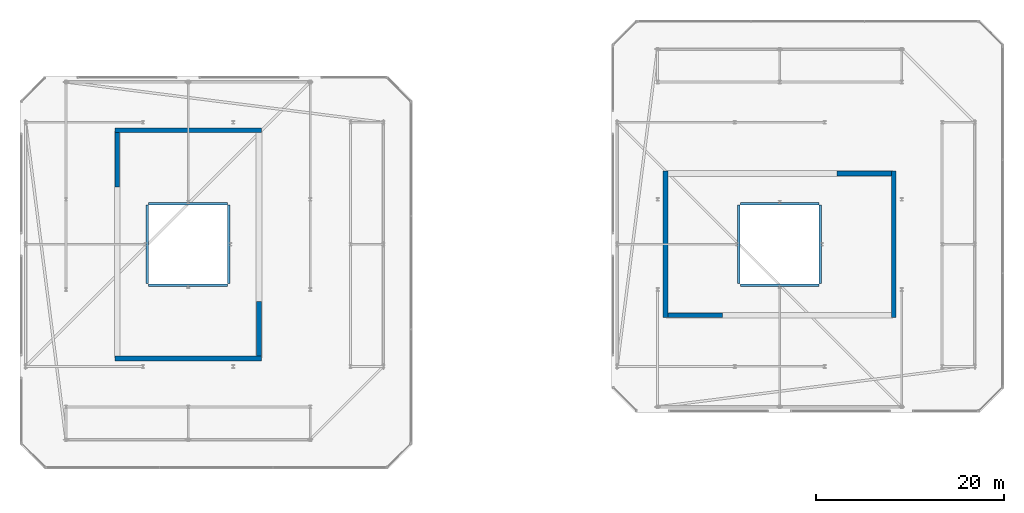
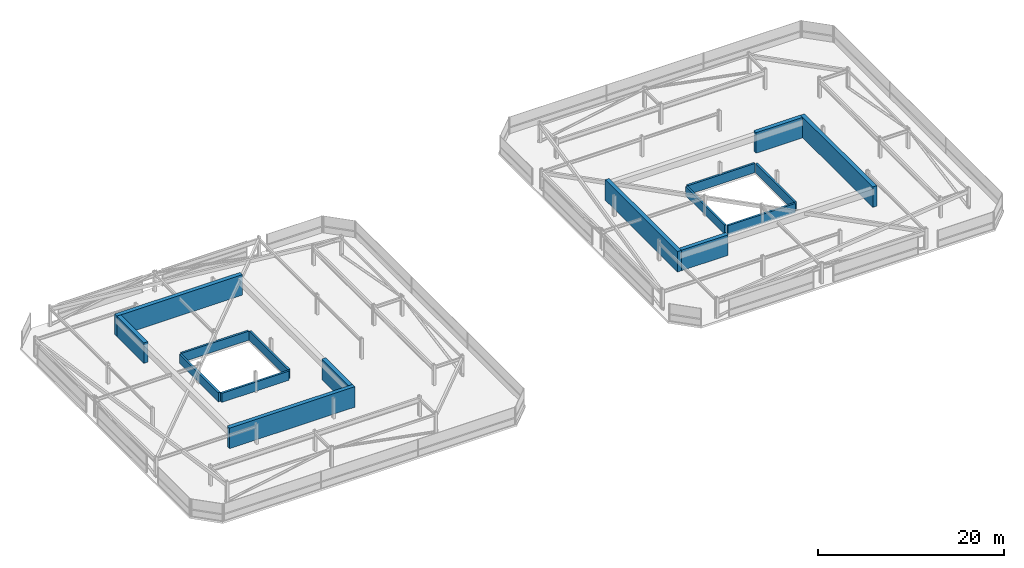
# One storey, part 42 of 42: 16 walls.
"""IFC4 building model written with IfcOpenShell, lengths in metres."""

import ifcopenshell
import ifcopenshell.guid

model = None  # the IFC model being written
_history = None  # IfcOwnerHistory: only IFC2X3 demands one
_inside = {}  # id of a spatial element -> (the spatial element, [elements in it])
_under = {}  # id of a project, library or spatial element -> (it, [spatial elements below it])
_declared = {}  # id of a project -> (the project, [libraries it declares])
_typed = {}  # id of a type object -> (the type object, [elements of that type])
_made_of = {}  # id of a material, layer set ... -> (it, [elements and type objects made of it])


def new_model(schema):
    """Start an empty IFC model of exactly this schema.

    Asked for "IFC4X3", IfcOpenShell would pick the latest addendum, in which some entities
    have other attributes; the version numbers below select the first issue.
    IFC2X3 requires an IfcOwnerHistory on every rooted entity: one is made here for all.
    """
    global model, _history
    if schema == "IFC4X3":
        model = ifcopenshell.file(schema_version=(4, 3, 0, 0))
    else:
        model = ifcopenshell.file(schema=schema)
    _inside.clear()
    _under.clear()
    _declared.clear()
    _typed.clear()
    _made_of.clear()
    _history = None
    if model.schema == "IFC2X3":
        org = make("IfcOrganization", Name="unknown")
        user = make(
            "IfcPersonAndOrganization",
            ThePerson=make("IfcPerson", FamilyName="unknown"),
            TheOrganization=org,
        )
        app = make(
            "IfcApplication",
            ApplicationDeveloper=org,
            Version="unknown",
            ApplicationFullName="unknown",
            ApplicationIdentifier="unknown",
        )
        _history = make(
            "IfcOwnerHistory",
            OwningUser=user,
            OwningApplication=app,
            ChangeAction="ADDED",
            CreationDate=0,
        )
    return model


def make(cls, **values):
    """One entity of the class cls with the attributes given. An attribute that is None is left unset."""
    return model.create_entity(
        cls, **{name: value for name, value in values.items() if value is not None}
    )


def rooted(cls, **values):
    """An entity with a GlobalId (a new one), such as an element, a storey or a relation."""
    return make(cls, GlobalId=ifcopenshell.guid.new(), OwnerHistory=_history, **values)


def si_unit(unit_type, name, prefix=None):
    """IfcSIUnit, for example si_unit("LENGTHUNIT", "METRE", prefix="MILLI")."""
    return make("IfcSIUnit", UnitType=unit_type, Prefix=prefix, Name=name)


def assignment(units):
    """IfcUnitAssignment: the units of a project."""
    return None if units is None else make("IfcUnitAssignment", Units=units)


def point(xyz):
    """IfcCartesianPoint."""
    return None if xyz is None else make("IfcCartesianPoint", Coordinates=xyz)


def direction(xyz):
    """IfcDirection."""
    return None if xyz is None else make("IfcDirection", DirectionRatios=xyz)


def frame(location, z_axis=None, x_axis=None):
    """IfcAxis2Placement3D, a coordinate frame: its origin and axes. An axis left out is left unset."""
    return make(
        "IfcAxis2Placement3D",
        Location=point(location),
        Axis=direction(z_axis),
        RefDirection=direction(x_axis),
    )


def frame_2d(location, x_axis=None):
    """IfcAxis2Placement2D, a coordinate frame in the plane: its origin and x axis."""
    return make(
        "IfcAxis2Placement2D", Location=point(location), RefDirection=direction(x_axis)
    )


def origin():
    """The frame at (0, 0, 0) with its axes left unset."""
    return frame((0.0, 0.0, 0.0))


def place(relative_to, where):
    """IfcLocalPlacement: puts the frame where relative to a parent placement (None: the world)."""
    return make(
        "IfcLocalPlacement", PlacementRelTo=relative_to, RelativePlacement=where
    )


def context(
    kind, dimensions, precision=None, world=None, true_north=None, identifier=None
):
    """IfcGeometricRepresentationContext, for example the 3D "Model" context."""
    return make(
        "IfcGeometricRepresentationContext",
        ContextIdentifier=identifier,
        ContextType=kind,
        CoordinateSpaceDimension=dimensions,
        Precision=precision,
        WorldCoordinateSystem=world,
        TrueNorth=true_north,
    )


def subcontext(parent, identifier, kind, view, scale=None):
    """IfcGeometricRepresentationSubContext, for example "Body" below "Model"."""
    return make(
        "IfcGeometricRepresentationSubContext",
        ContextIdentifier=identifier,
        ContextType=kind,
        ParentContext=parent,
        TargetScale=scale,
        TargetView=view,
    )


def project(units=None, contexts=None):
    """IfcProject with its units and contexts."""
    return rooted(
        "IfcProject",
        Name="project",
        RepresentationContexts=contexts,
        UnitsInContext=assignment(units),
    )


def spatial(cls, under=None, at=None, **own):
    """A site, building, storey or space (cls), placed at a placement, below another one or the project."""
    s = rooted(cls, ObjectPlacement=at, **own)
    if under is not None:
        _under.setdefault(under.id(), (under, []))[1].append(s)
    return s


def profile(cls, at=None, kind="AREA", **sizes):
    """A parametric profile (cls). Its sizes go by their IFC names, for example OverallWidth=200.0."""
    return make(cls, ProfileType=kind, Position=at, **sizes)


def rectangle(**sizes):
    """IfcRectangleProfileDef."""
    return profile("IfcRectangleProfileDef", **sizes)


def extrude(swept, where, along, depth):
    """IfcExtrudedAreaSolid: the profile swept, set in the frame where, extruded along a direction by depth."""
    return make(
        "IfcExtrudedAreaSolid",
        SweptArea=swept,
        Position=where,
        ExtrudedDirection=direction(along),
        Depth=depth,
    )


def shape(context_of_items, identifier, shape_type, items):
    """IfcShapeRepresentation: the items that make up one representation, for example the "Body"."""
    return make(
        "IfcShapeRepresentation",
        ContextOfItems=context_of_items,
        RepresentationIdentifier=identifier,
        RepresentationType=shape_type,
        Items=items,
    )


def material(Name=None, Category=None):
    """IfcMaterial."""
    return make("IfcMaterial", Name=Name, Category=Category)


def layer(
    of_material, thickness, ventilated=None, Name=None, Category=None, Priority=None
):
    """IfcMaterialLayer: one layer of a wall or slab, of a material (None: an air gap)."""
    return make(
        "IfcMaterialLayer",
        Material=of_material,
        LayerThickness=thickness,
        IsVentilated=ventilated,
        Name=Name,
        Category=Category,
        Priority=Priority,
    )


def layer_set(layers, Name=None):
    """IfcMaterialLayerSet."""
    return make("IfcMaterialLayerSet", MaterialLayers=layers, LayerSetName=Name)


def made_of(thing, what):
    """Note that an element or type object is made of a material, layer set ...; save() writes the relation."""
    if what is not None:
        _made_of.setdefault(what.id(), (what, []))[1].append(thing)
    return thing


def type_object(cls, material=None, **own):
    """A type object (cls), such as IfcWallType, which elements share."""
    return made_of(rooted(cls, **own), material)


def element(
    cls,
    number,
    at=None,
    inside=None,
    cuts=None,
    type_object=None,
    material=None,
    context=None,
    identifier="Body",
    shape_type=None,
    held_by="IfcProductDefinitionShape",
    body=None,
    shapes=None,
    **own,
):
    """One element of the class cls, such as IfcWall. Its Tag is "e" and its number.

    at: its placement. inside: the storey or other place that contains it. cuts: it is an
    opening in that element (IfcRelVoidsElement). A single representation is given by context,
    identifier, shape_type and body (its items); several are given by shapes. held_by: the class
    of the entity that holds the representations. save() writes the other relations.
    """
    e = rooted(cls, Tag="e%d" % number, ObjectPlacement=at, **own)
    if body is not None:
        shapes = [shape(context, identifier, shape_type, body)]
    if shapes is not None:
        e.Representation = make(held_by, Representations=shapes)
    if inside is not None:
        _inside.setdefault(inside.id(), (inside, []))[1].append(e)
    if cuts is not None:
        rooted(
            "IfcRelVoidsElement", RelatingBuildingElement=cuts, RelatedOpeningElement=e
        )
    if type_object is not None:
        _typed.setdefault(type_object.id(), (type_object, []))[1].append(e)
    return made_of(e, material)


def aggregate(whole, parts):
    """IfcRelAggregates: a whole, such as a stair, and the parts it consists of."""
    return rooted("IfcRelAggregates", RelatingObject=whole, RelatedObjects=parts)


def save(model, path):
    """Write the relations noted so far, then the file.

    IfcRelAggregates (storeys below a building ...), IfcRelContainedInSpatialStructure (elements
    in a storey), IfcRelDefinesByType, IfcRelAssociatesMaterial and IfcRelDeclares: one each for
    every whole, place, type object, material and project.
    """
    for whole, parts in _under.values():
        aggregate(whole, parts)
    for where, things in _inside.values():
        rooted(
            "IfcRelContainedInSpatialStructure",
            RelatedElements=things,
            RelatingStructure=where,
        )
    for kind, things in _typed.values():
        rooted("IfcRelDefinesByType", RelatedObjects=things, RelatingType=kind)
    for what, things in _made_of.values():
        rooted("IfcRelAssociatesMaterial", RelatedObjects=things, RelatingMaterial=what)
    for by, libraries in _declared.values():
        rooted("IfcRelDeclares", RelatingContext=by, RelatedDefinitions=libraries)
    model.write(path)


model = new_model("IFC4")

# Units and contexts
model_context = context("Model", 3, precision=1e-05, world=origin(), true_north=direction((0.0, 1.0)))
body_context = subcontext(model_context, "Body", "Model", "MODEL_VIEW")
ifc_project = project(units=[si_unit("LENGTHUNIT", "METRE"), si_unit("AREAUNIT", "SQUARE_METRE"), si_unit("VOLUMEUNIT", "CUBIC_METRE"), si_unit("PLANEANGLEUNIT", "RADIAN"), si_unit("MASSUNIT", "GRAM", prefix="KILO")], contexts=[model_context])

# Site, building, storey
site_placement = place(None, origin())
site = spatial("IfcSite", under=ifc_project, at=site_placement, CompositionType="ELEMENT")
building_placement = place(site_placement, origin())
building = spatial("IfcBuilding", under=site, at=building_placement, Name="Thornwick Lancets Civic Towers", CompositionType="ELEMENT")
storey_placement = place(building_placement, frame((0.0, 0.0, 286.800048828125)))
storey = spatial("IfcBuildingStorey", under=building, at=storey_placement, Name="C03", CompositionType="ELEMENT", Elevation=286.800048828125)

# Walls
ifc_material_1 = material(Name="Concrete C50/60", Category="concrete")
ifc_layer_1 = layer(ifc_material_1, 0.5, Name="Concrete C50/60")
ifc_layer_set_1 = layer_set([ifc_layer_1], Name="Concrete C50/60")
wall_type_1 = type_object("IfcWallType", Name="WALL_CORE_500", PredefinedType="SHEAR", material=ifc_layer_set_1)
wall_1_placement = place(storey_placement, frame((17.699951171875, 14.85009765625, 0.0), z_axis=(0.0, 0.0, 1.0), x_axis=(1.0, 0.0, 0.0)))
element("IfcWall", 1, at=wall_1_placement, inside=storey, type_object=wall_type_1, Name="C03 Split Core A1 Shear Wall S", PredefinedType="SHEAR", context=body_context, shape_type="SweptSolid", body=[
    extrude(rectangle(XDim=15.60009765625, YDim=0.5, at=frame_2d((7.800048828125, 0.0))), origin(), (0.0, 0.0, 1.0), 2.699951171875),
])
wall_2_placement = place(storey_placement, frame((33.050048828125, 15.10009765625, 0.0), z_axis=(0.0, 0.0, 1.0), x_axis=(0.0, 1.0, 0.0)))
element("IfcWall", 2, at=wall_2_placement, inside=storey, type_object=wall_type_1, Name="C03 Split Core A1 Shear Wall E", PredefinedType="SHEAR", context=body_context, shape_type="SweptSolid", body=[
    extrude(rectangle(XDim=5.7998046875, YDim=0.5, at=frame_2d((2.89990234375, 0.0))), origin(), (0.0, 0.0, 1.0), 2.699951171875),
])
wall_3_placement = place(storey_placement, frame((17.699951171875, 39.14990234375, 0.0), z_axis=(0.0, 0.0, 1.0), x_axis=(1.0, 0.0, 0.0)))
element("IfcWall", 3, at=wall_3_placement, inside=storey, type_object=wall_type_1, Name="C03 Split Core A2 Shear Wall N", PredefinedType="SHEAR", context=body_context, shape_type="SweptSolid", body=[
    extrude(rectangle(XDim=15.60009765625, YDim=0.5, at=frame_2d((7.800048828125, 0.0))), origin(), (0.0, 0.0, 1.0), 2.699951171875),
])
wall_4_placement = place(storey_placement, frame((17.949951171875, 33.10009765625, 0.0), z_axis=(0.0, 0.0, 1.0), x_axis=(0.0, 1.0, 0.0)))
element("IfcWall", 4, at=wall_4_placement, inside=storey, type_object=wall_type_1, Name="C03 Split Core A2 Shear Wall W", PredefinedType="SHEAR", context=body_context, shape_type="SweptSolid", body=[
    extrude(rectangle(XDim=5.7998046875, YDim=0.5, at=frame_2d((2.89990234375, 0.0))), origin(), (0.0, 0.0, 1.0), 2.699951171875),
])
wall_5_placement = place(storey_placement, frame((100.64990234375, 19.199951171875, 0.0), z_axis=(0.0, 0.0, 1.0), x_axis=(0.0, 1.0, 0.0)))
element("IfcWall", 5, at=wall_5_placement, inside=storey, type_object=wall_type_1, Name="C03 Split Core B1 Shear Wall E", PredefinedType="SHEAR", context=body_context, shape_type="SweptSolid", body=[
    extrude(rectangle(XDim=15.60009765625, YDim=0.5, at=frame_2d((7.800048828125, 0.0))), origin(), (0.0, 0.0, 1.0), 2.699951171875),
])
wall_6_placement = place(storey_placement, frame((94.60009765625, 34.550048828125, 0.0), z_axis=(0.0, 0.0, 1.0), x_axis=(1.0, 0.0, 0.0)))
element("IfcWall", 6, at=wall_6_placement, inside=storey, type_object=wall_type_1, Name="C03 Split Core B1 Shear Wall N", PredefinedType="SHEAR", context=body_context, shape_type="SweptSolid", body=[
    extrude(rectangle(XDim=5.7998046875, YDim=0.5, at=frame_2d((2.89990234375, 0.0))), origin(), (0.0, 0.0, 1.0), 2.699951171875),
])
wall_7_placement = place(storey_placement, frame((76.35009765625, 19.199951171875, 0.0), z_axis=(0.0, 0.0, 1.0), x_axis=(0.0, 1.0, 0.0)))
element("IfcWall", 7, at=wall_7_placement, inside=storey, type_object=wall_type_1, Name="C03 Split Core B2 Shear Wall W", PredefinedType="SHEAR", context=body_context, shape_type="SweptSolid", body=[
    extrude(rectangle(XDim=15.60009765625, YDim=0.5, at=frame_2d((7.800048828125, 0.0))), origin(), (0.0, 0.0, 1.0), 2.699951171875),
])
wall_8_placement = place(storey_placement, frame((76.60009765625, 19.449951171875, 0.0), z_axis=(0.0, 0.0, 1.0), x_axis=(1.0, 0.0, 0.0)))
element("IfcWall", 8, at=wall_8_placement, inside=storey, type_object=wall_type_1, Name="C03 Split Core B2 Shear Wall S", PredefinedType="SHEAR", context=body_context, shape_type="SweptSolid", body=[
    extrude(rectangle(XDim=5.7998046875, YDim=0.5, at=frame_2d((2.89990234375, 0.0))), origin(), (0.0, 0.0, 1.0), 2.699951171875),
])
ifc_material_2 = material(Name="Architectural terracotta parapet C40/50", Category="masonry")
ifc_layer_2 = layer(ifc_material_2, 0.25, Name="Architectural terracotta parapet C40/50")
ifc_layer_set_2 = layer_set([ifc_layer_2], Name="Architectural terracotta parapet C40/50")
wall_type_2 = type_object("IfcWallType", Name="WALL_PARAPET_250", PredefinedType="PARAPET", material=ifc_layer_set_2)
for number, where, z_axis, x_axis, name in (
    (9, (21.31005859375, 22.659912109375, 0.0), (0.0, 0.0, 1.0), (1.0, 0.0, 0.0), "C03 Tower A Crown Atrium Curb S"),
    (10, (29.68994140625, 31.340087890625, 0.0), (0.0, 0.0, 1.0), (-1.0, 0.0, 0.0), "C03 Tower A Crown Atrium Curb N"),
    (11, (21.159912109375, 31.18994140625, 0.0), (0.0, 0.0, 1.0), (0.0, -1.0, 0.0), "C03 Tower A Crown Atrium Curb W"),
    (12, (29.840087890625, 22.81005859375, 0.0), (0.0, 0.0, 1.0), (0.0, 1.0, 0.0), "C03 Tower A Crown Atrium Curb E"),
    (13, (84.31005859375, 22.659912109375, 0.0), (0.0, 0.0, 1.0), (1.0, 0.0, 0.0), "C03 Tower B Crown Atrium Curb S"),
    (14, (92.68994140625, 31.340087890625, 0.0), (0.0, 0.0, 1.0), (-1.0, 0.0, 0.0), "C03 Tower B Crown Atrium Curb N"),
    (15, (84.159912109375, 31.18994140625, 0.0), (0.0, 0.0, 1.0), (0.0, -1.0, 0.0), "C03 Tower B Crown Atrium Curb W"),
    (16, (92.840087890625, 22.81005859375, 0.0), (0.0, 0.0, 1.0), (0.0, 1.0, 0.0), "C03 Tower B Crown Atrium Curb E"),
):
    element("IfcWall", number, at=place(storey_placement, frame(where, z_axis=z_axis, x_axis=x_axis)), inside=storey, type_object=wall_type_2, Name=name, PredefinedType="PARAPET", context=body_context, shape_type="SweptSolid", body=[
        extrude(rectangle(XDim=8.3798828125, YDim=0.25, at=frame_2d((4.18994140625, 0.0))), origin(), (0.0, 0.0, 1.0), 1.199951171875),
    ])

save(model, "model.ifc")
